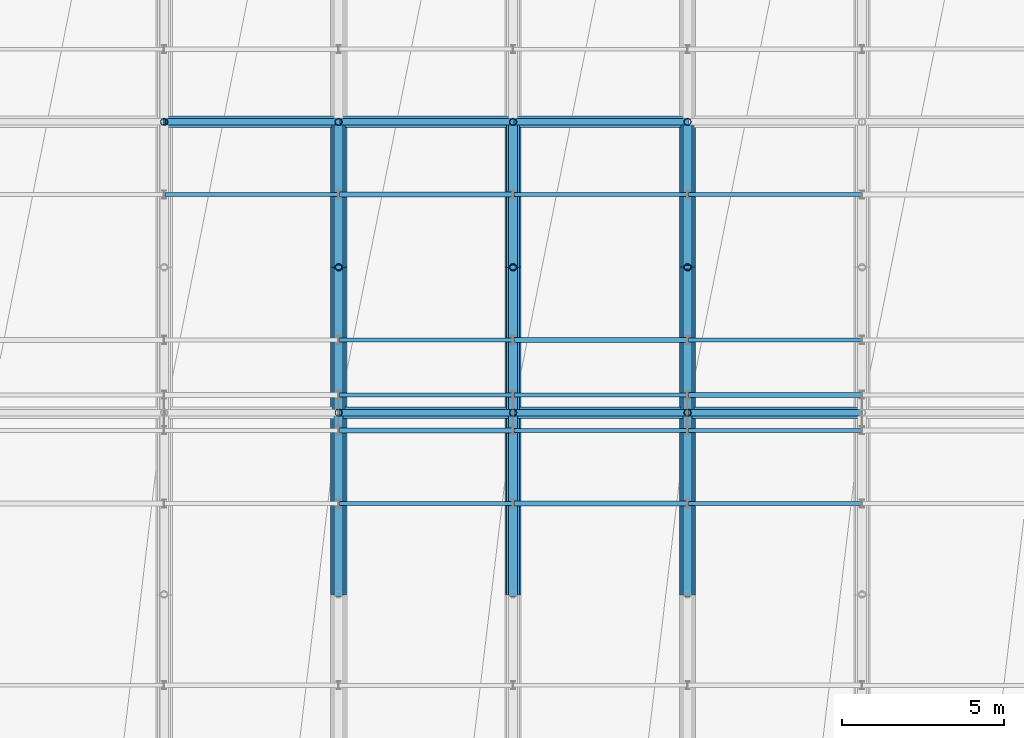
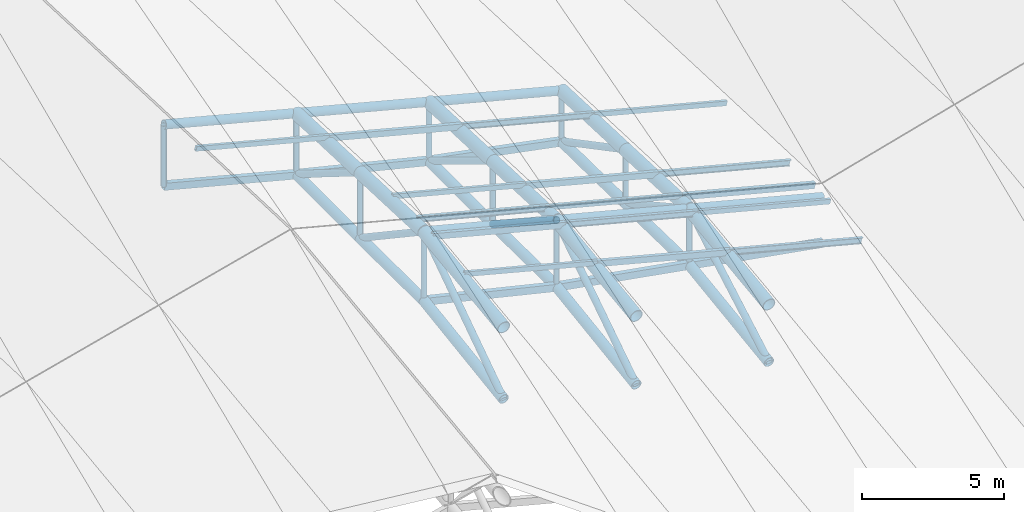
# One storey, part 24 of 109: 47 members, 18 beams.
"""IFC4 building model written with IfcOpenShell, lengths in metres."""

from ifc_helpers import new_model, si_unit, direction, frame, origin, origin_2d, place, context, subcontext, project, spatial, hollow_rectangle, hollow_circle, i_section, extrude, material, material_profile, profile_set, type_object, element, save


model = new_model("IFC4")

# Units and contexts
model_context = context("Model", 3, precision=1e-05, world=origin(), true_north=direction((0.0, 1.0)))
body_context = subcontext(model_context, "Body", "Model", "MODEL_VIEW")
ifc_project = project(units=[si_unit("LENGTHUNIT", "METRE"), si_unit("AREAUNIT", "SQUARE_METRE"), si_unit("VOLUMEUNIT", "CUBIC_METRE"), si_unit("PLANEANGLEUNIT", "RADIAN"), si_unit("MASSUNIT", "GRAM", prefix="KILO")], contexts=[model_context])

# Site, building, storey
site_placement = place(None, origin())
site = spatial("IfcSite", under=ifc_project, at=site_placement, CompositionType="ELEMENT")
building_placement = place(site_placement, origin())
building = spatial("IfcBuilding", under=site, at=building_placement, Name="Suirenkawa Promenade Aquatics Centre", CompositionType="ELEMENT")
storey_placement = place(building_placement, frame((0.0, 0.0, 22.800048828125)))
storey = spatial("IfcBuildingStorey", under=building, at=storey_placement, Name="ROOF", CompositionType="ELEMENT", Elevation=22.800048828125)

# Beams
ifc_material = material(Name="Steel IS 2062 E350 (Grade 350)", Category="steel")
ifc_material_profile_1 = material_profile(ifc_material, hollow_circle(Radius=0.202880859375, WallThickness=0.01806640625, at=origin_2d()), Name="CHS 406x18", Category="steel")
ifc_profile_set_1 = profile_set([ifc_material_profile_1], Name="Steel IS 2062 E350 (Grade 350)")
beam_type_1 = type_object("IfcBeamType", Name="BT-BC-CHS406", PredefinedType="BEAM", material=ifc_profile_set_1)
beam_1_placement = place(storey_placement, frame((117.0, 89.77490234375, -8.80712890625), z_axis=(0.0, 0.989286297541, 0.145988429325), x_axis=(-1.0, 0.0, 0.0)))
element("IfcBeam", 1, at=beam_1_placement, inside=storey, type_object=beam_type_1, Name="ROOF TRUSS V1 bottom chord BC-01 BM-2186", PredefinedType="BEAM", context=body_context, shape_type="SweptSolid", body=[
    extrude(hollow_circle(Radius=0.202880859375, WallThickness=0.01806640625, at=origin_2d()), origin(), (0.0, 0.0, 1.0), 5.68603515625),
])
for number, where, z_axis, x_axis, name in (
    (2, (117.0, 95.39990234375, -7.97705078125), (0.0, 0.999973178989, -0.007324022307), (-1.0, 0.0, 0.0), "ROOF TRUSS V1 bottom chord BC-01 BM-2188"),
    (3, (117.0, 99.89990234375, -8.010009765625), (0.0, 0.999992993217, 0.003743463354), (-1.0, 0.0, 0.0), "ROOF TRUSS V1 bottom chord BC-01 BM-2190"),
):
    element("IfcBeam", number, at=place(storey_placement, frame(where, z_axis=z_axis, x_axis=x_axis)), inside=storey, type_object=beam_type_1, Name=name, PredefinedType="BEAM", context=body_context, shape_type="SweptSolid", body=[
        extrude(hollow_circle(Radius=0.202880859375, WallThickness=0.01806640625, at=origin_2d()), origin(), (0.0, 0.0, 1.0), 4.5),
    ])
beam_2_placement = place(storey_placement, frame((122.39990234375, 89.77490234375, -10.083984375), z_axis=(0.0, 0.989465415769, 0.144769440823), x_axis=(-1.0, 0.0, 0.0)))
element("IfcBeam", 4, at=beam_2_placement, inside=storey, type_object=beam_type_1, Name="ROOF TRUSS V1 bottom chord BC-01 BM-2214", PredefinedType="BEAM", context=body_context, shape_type="SweptSolid", body=[
    extrude(hollow_circle(Radius=0.202880859375, WallThickness=0.01806640625, at=origin_2d()), origin(), (0.0, 0.0, 1.0), 5.684814453125),
])
beam_3_placement = place(storey_placement, frame((122.39990234375, 95.39990234375, -9.260986328125), z_axis=(0.0, 0.999949634201, -0.010036386845), x_axis=(-1.0, 0.0, 0.0)))
element("IfcBeam", 5, at=beam_3_placement, inside=storey, type_object=beam_type_1, Name="ROOF TRUSS V1 bottom chord BC-01 BM-2216", PredefinedType="BEAM", context=body_context, shape_type="SweptSolid", body=[
    extrude(hollow_circle(Radius=0.202880859375, WallThickness=0.01806640625, at=origin_2d()), origin(), (0.0, 0.0, 1.0), 4.500244140625),
])
beam_4_placement = place(storey_placement, frame((122.39990234375, 99.89990234375, -9.30615234375), z_axis=(0.0, 0.999999880791, 0.000488281192), x_axis=(-1.0, 0.0, 0.0)))
element("IfcBeam", 6, at=beam_4_placement, inside=storey, type_object=beam_type_1, Name="ROOF TRUSS V1 bottom chord BC-01 BM-2218", PredefinedType="BEAM", context=body_context, shape_type="SweptSolid", body=[
    extrude(hollow_circle(Radius=0.202880859375, WallThickness=0.01806640625, at=origin_2d()), origin(), (0.0, 0.0, 1.0), 4.5),
])
beam_5_placement = place(storey_placement, frame((127.800048828125, 89.77490234375, -10.9990234375), z_axis=(0.0, 0.990256578838, 0.139254831399), x_axis=(-1.0, 0.0, 0.0)))
element("IfcBeam", 7, at=beam_5_placement, inside=storey, type_object=beam_type_1, Name="ROOF TRUSS V1 bottom chord BC-01 BM-2242", PredefinedType="BEAM", context=body_context, shape_type="SweptSolid", body=[
    extrude(hollow_circle(Radius=0.202880859375, WallThickness=0.01806640625, at=origin_2d()), origin(), (0.0, 0.0, 1.0), 5.680419921875),
])
beam_6_placement = place(storey_placement, frame((127.800048828125, 95.39990234375, -10.2080078125), z_axis=(0.0, 0.999795303988, -0.020232402799), x_axis=(-1.0, 0.0, 0.0)))
element("IfcBeam", 8, at=beam_6_placement, inside=storey, type_object=beam_type_1, Name="ROOF TRUSS V1 bottom chord BC-01 BM-2244", PredefinedType="BEAM", context=body_context, shape_type="SweptSolid", body=[
    extrude(hollow_circle(Radius=0.202880859375, WallThickness=0.01806640625, at=origin_2d()), origin(), (0.0, 0.0, 1.0), 4.5009765625),
])
beam_7_placement = place(storey_placement, frame((127.800048828125, 99.89990234375, -10.299072265625), z_axis=(0.0, 0.999913821353, -0.013128208809), x_axis=(-1.0, 0.0, 0.0)))
element("IfcBeam", 9, at=beam_7_placement, inside=storey, type_object=beam_type_1, Name="ROOF TRUSS V1 bottom chord BC-01 BM-2246", PredefinedType="BEAM", context=body_context, shape_type="SweptSolid", body=[
    extrude(hollow_circle(Radius=0.202880859375, WallThickness=0.01806640625, at=origin_2d()), origin(), (0.0, 0.0, 1.0), 4.50048828125),
])
ifc_material_profile_2 = material_profile(ifc_material, hollow_circle(Radius=0.25390625, WallThickness=0.02392578125, at=origin_2d()), Name="CHS 508x24", Category="steel")
ifc_profile_set_2 = profile_set([ifc_material_profile_2], Name="Steel IS 2062 E350 (Grade 350)")
beam_type_2 = type_object("IfcBeamType", Name="BT-TC-CHS508", PredefinedType="BEAM", material=ifc_profile_set_2)
beam_8_placement = place(storey_placement, frame((117.0, 89.77490234375, -5.72509765625), z_axis=(0.0, 0.991793720609, 0.127848409297), x_axis=(-1.0, 0.0, 0.0)))
element("IfcBeam", 10, at=beam_8_placement, inside=storey, type_object=beam_type_2, Name="ROOF TRUSS V1 top chord TC-02 BM-2185", PredefinedType="BEAM", context=body_context, shape_type="SweptSolid", body=[
    extrude(hollow_circle(Radius=0.25390625, WallThickness=0.02392578125, at=origin_2d()), origin(), (0.0, 0.0, 1.0), 5.671630859375),
])
for number, where, z_axis, x_axis, name in (
    (11, (117.0, 95.39990234375, -5.0), (0.0, 0.999173184279, -0.040656460949), (-1.0, 0.0, 0.0), "ROOF TRUSS V1 top chord TC-02 BM-2187"),
    (12, (117.0, 99.89990234375, -5.18310546875), (0.0, 0.999166564808, -0.040818816368), (-1.0, 0.0, 0.0), "ROOF TRUSS V1 top chord TC-02 BM-2189"),
):
    element("IfcBeam", number, at=place(storey_placement, frame(where, z_axis=z_axis, x_axis=x_axis)), inside=storey, type_object=beam_type_2, Name=name, PredefinedType="BEAM", context=body_context, shape_type="SweptSolid", body=[
        extrude(hollow_circle(Radius=0.25390625, WallThickness=0.02392578125, at=origin_2d()), origin(), (0.0, 0.0, 1.0), 4.503662109375),
    ])
beam_9_placement = place(storey_placement, frame((122.39990234375, 89.77490234375, -7.125), z_axis=(0.0, 0.991799178012, 0.127806065951), x_axis=(-1.0, 0.0, 0.0)))
element("IfcBeam", 13, at=beam_9_placement, inside=storey, type_object=beam_type_2, Name="ROOF TRUSS V1 top chord TC-02 BM-2213", PredefinedType="BEAM", context=body_context, shape_type="SweptSolid", body=[
    extrude(hollow_circle(Radius=0.25390625, WallThickness=0.02392578125, at=origin_2d()), origin(), (0.0, 0.0, 1.0), 5.671630859375),
])
for number, where, z_axis, x_axis, name in (
    (14, (122.39990234375, 95.39990234375, -6.400146484375), (0.0, 0.999175384927, -0.040602341759), (-1.0, 0.0, 0.0), "ROOF TRUSS V1 top chord TC-02 BM-2215"),
    (15, (122.39990234375, 99.89990234375, -6.5830078125), (0.0, 0.999164352475, -0.040872934124), (-1.0, 0.0, 0.0), "ROOF TRUSS V1 top chord TC-02 BM-2217"),
):
    element("IfcBeam", number, at=place(storey_placement, frame(where, z_axis=z_axis, x_axis=x_axis)), inside=storey, type_object=beam_type_2, Name=name, PredefinedType="BEAM", context=body_context, shape_type="SweptSolid", body=[
        extrude(hollow_circle(Radius=0.25390625, WallThickness=0.02392578125, at=origin_2d()), origin(), (0.0, 0.0, 1.0), 4.503662109375),
    ])
beam_10_placement = place(storey_placement, frame((127.800048828125, 89.77490234375, -8.525146484375), z_axis=(0.0, 0.991793720609, 0.127848409297), x_axis=(-1.0, 0.0, 0.0)))
element("IfcBeam", 16, at=beam_10_placement, inside=storey, type_object=beam_type_2, Name="ROOF TRUSS V1 top chord TC-02 BM-2241", PredefinedType="BEAM", context=body_context, shape_type="SweptSolid", body=[
    extrude(hollow_circle(Radius=0.25390625, WallThickness=0.02392578125, at=origin_2d()), origin(), (0.0, 0.0, 1.0), 5.671630859375),
])
for number, where, z_axis, x_axis, name in (
    (17, (127.800048828125, 95.39990234375, -7.800048828125), (0.0, 0.999173184279, -0.040656460949), (-1.0, 0.0, 0.0), "ROOF TRUSS V1 top chord TC-02 BM-2243"),
    (18, (127.800048828125, 99.89990234375, -7.983154296875), (0.0, 0.999166564808, -0.040818816368), (-1.0, 0.0, 0.0), "ROOF TRUSS V1 top chord TC-02 BM-2245"),
):
    element("IfcBeam", number, at=place(storey_placement, frame(where, z_axis=z_axis, x_axis=x_axis)), inside=storey, type_object=beam_type_2, Name=name, PredefinedType="BEAM", context=body_context, shape_type="SweptSolid", body=[
        extrude(hollow_circle(Radius=0.25390625, WallThickness=0.02392578125, at=origin_2d()), origin(), (0.0, 0.0, 1.0), 4.503662109375),
    ])

# Members
ifc_material_profile_3 = material_profile(ifc_material, hollow_circle(Radius=0.177978515625, WallThickness=0.01611328125, at=origin_2d()), Name="CHS 356x16", Category="steel")
ifc_profile_set_3 = profile_set([ifc_material_profile_3], Name="Steel IS 2062 E350 (Grade 350)")
member_type_1 = type_object("IfcMemberType", Name="MT-CHORD-CHS356", PredefinedType="CHORD", material=ifc_profile_set_3)
member_1_placement = place(storey_placement, frame((117.0, 95.39990234375, -5.0), z_axis=(0.967989416096, 0.0, -0.250991016426), x_axis=(0.0, 1.0, 0.0)))
element("IfcMember", 19, at=member_1_placement, inside=storey, type_object=member_type_1, Name="ROOF TRUSS V1 tie chord CH-02 MB-0834", PredefinedType="CHORD", context=body_context, shape_type="SweptSolid", body=[
    extrude(hollow_circle(Radius=0.177978515625, WallThickness=0.01611328125, at=origin_2d()), origin(), (0.0, 0.0, 1.0), 5.578369140625),
])
member_2_placement = place(storey_placement, frame((122.39990234375, 95.39990234375, -6.400146484375), z_axis=(0.96800280427, 0.0, -0.250939376992), x_axis=(0.0, 1.0, 0.0)))
element("IfcMember", 20, at=member_2_placement, inside=storey, type_object=member_type_1, Name="ROOF TRUSS V1 tie chord CH-02 MB-0836", PredefinedType="CHORD", context=body_context, shape_type="SweptSolid", body=[
    extrude(hollow_circle(Radius=0.177978515625, WallThickness=0.01611328125, at=origin_2d()), origin(), (0.0, 0.0, 1.0), 5.57861328125),
])
for number, where, z_axis, x_axis, name in (
    (21, (127.800048828125, 95.39990234375, -7.800048828125), (0.968000048288, 0.0, -0.250950007997), (0.0, 1.0, 0.0), "ROOF TRUSS V1 tie chord CH-02 MB-0838"),
    (22, (111.60009765625, 104.39990234375, -3.967041015625), (0.968000048288, 0.0, -0.250950007997), (0.0, 1.0, 0.0), "ROOF TRUSS V1 tie chord CH-02 MB-0872"),
    (23, (117.0, 104.39990234375, -5.366943359375), (0.967989416096, 0.0, -0.250991016426), (0.0, 1.0, 0.0), "ROOF TRUSS V1 tie chord CH-02 MB-0874"),
):
    element("IfcMember", number, at=place(storey_placement, frame(where, z_axis=z_axis, x_axis=x_axis)), inside=storey, type_object=member_type_1, Name=name, PredefinedType="CHORD", context=body_context, shape_type="SweptSolid", body=[
        extrude(hollow_circle(Radius=0.177978515625, WallThickness=0.01611328125, at=origin_2d()), origin(), (0.0, 0.0, 1.0), 5.578369140625),
    ])
member_3_placement = place(storey_placement, frame((122.39990234375, 104.39990234375, -6.76708984375), z_axis=(0.96800280427, 0.0, -0.250939376992), x_axis=(0.0, 1.0, 0.0)))
element("IfcMember", 24, at=member_3_placement, inside=storey, type_object=member_type_1, Name="ROOF TRUSS V1 tie chord CH-02 MB-0876", PredefinedType="CHORD", context=body_context, shape_type="SweptSolid", body=[
    extrude(hollow_circle(Radius=0.177978515625, WallThickness=0.01611328125, at=origin_2d()), origin(), (0.0, 0.0, 1.0), 5.57861328125),
])
ifc_material_profile_4 = material_profile(ifc_material, hollow_rectangle(XDim=0.199951171875, YDim=0.300048828125, WallThickness=0.011962890625, at=origin_2d()), Name="RHS 300x200x12", Category="steel")
ifc_profile_set_4 = profile_set([ifc_material_profile_4], Name="Steel IS 2062 E350 (Grade 350)")
member_type_2 = type_object("IfcMemberType", Name="MT-CHORD-RHS300", PredefinedType="CHORD", material=ifc_profile_set_4)
member_4_placement = place(storey_placement, frame((117.0, 95.39990234375, -7.97705078125), z_axis=(0.972877433151, 0.0, -0.231321205396), x_axis=(0.0, 1.0, 0.0)))
element("IfcMember", 25, at=member_4_placement, inside=storey, type_object=member_type_2, Name="ROOF TRUSS V1 bottom tie CH-03 MB-0835", PredefinedType="CHORD", context=body_context, shape_type="SweptSolid", body=[
    extrude(hollow_rectangle(XDim=0.199951171875, YDim=0.300048828125, WallThickness=0.011962890625, at=origin_2d()), origin(), (0.0, 0.0, 1.0), 5.550537109375),
])
member_5_placement = place(storey_placement, frame((122.39990234375, 95.39990234375, -9.260986328125), z_axis=(0.984968590512, 0.0, -0.172733539608), x_axis=(0.0, 1.0, 0.0)))
element("IfcMember", 26, at=member_5_placement, inside=storey, type_object=member_type_2, Name="ROOF TRUSS V1 bottom tie CH-03 MB-0837", PredefinedType="CHORD", context=body_context, shape_type="SweptSolid", body=[
    extrude(hollow_rectangle(XDim=0.199951171875, YDim=0.300048828125, WallThickness=0.011962890625, at=origin_2d()), origin(), (0.0, 0.0, 1.0), 5.482666015625),
])
member_6_placement = place(storey_placement, frame((127.800048828125, 95.39990234375, -10.2080078125), z_axis=(0.984936939816, 0.0, -0.172913922475), x_axis=(0.0, 1.0, 0.0)))
element("IfcMember", 27, at=member_6_placement, inside=storey, type_object=member_type_2, Name="ROOF TRUSS V1 bottom tie CH-03 MB-0839", PredefinedType="CHORD", context=body_context, shape_type="SweptSolid", body=[
    extrude(hollow_rectangle(XDim=0.199951171875, YDim=0.300048828125, WallThickness=0.011962890625, at=origin_2d()), origin(), (0.0, 0.0, 1.0), 5.482421875),
])
member_7_placement = place(storey_placement, frame((111.60009765625, 104.39990234375, -6.593017578125), z_axis=(0.967989416096, 0.0, -0.250991016426), x_axis=(0.0, 1.0, 0.0)))
element("IfcMember", 28, at=member_7_placement, inside=storey, type_object=member_type_2, Name="ROOF TRUSS V1 bottom tie CH-03 MB-0873", PredefinedType="CHORD", context=body_context, shape_type="SweptSolid", body=[
    extrude(hollow_rectangle(XDim=0.199951171875, YDim=0.300048828125, WallThickness=0.011962890625, at=origin_2d()), origin(), (0.0, 0.0, 1.0), 5.578369140625),
])
member_8_placement = place(storey_placement, frame((117.0, 104.39990234375, -7.9931640625), z_axis=(0.971779032102, 0.0, -0.235893011274), x_axis=(0.0, 1.0, 0.0)))
element("IfcMember", 29, at=member_8_placement, inside=storey, type_object=member_type_2, Name="ROOF TRUSS V1 bottom tie CH-03 MB-0875", PredefinedType="CHORD", context=body_context, shape_type="SweptSolid", body=[
    extrude(hollow_rectangle(XDim=0.199951171875, YDim=0.300048828125, WallThickness=0.011962890625, at=origin_2d()), origin(), (0.0, 0.0, 1.0), 5.556640625),
])
member_9_placement = place(storey_placement, frame((122.39990234375, 104.39990234375, -9.303955078125), z_axis=(0.981473093254, 0.0, -0.191600018838), x_axis=(0.0, 1.0, 0.0)))
element("IfcMember", 30, at=member_9_placement, inside=storey, type_object=member_type_2, Name="ROOF TRUSS V1 bottom tie CH-03 MB-0877", PredefinedType="CHORD", context=body_context, shape_type="SweptSolid", body=[
    extrude(hollow_rectangle(XDim=0.199951171875, YDim=0.300048828125, WallThickness=0.011962890625, at=origin_2d()), origin(), (0.0, 0.0, 1.0), 5.502197265625),
])
ifc_material_profile_5 = material_profile(ifc_material, i_section(OverallWidth=0.125, OverallDepth=0.25, WebThickness=0.007080078125, FlangeThickness=0.012939453125, at=origin_2d()), Name="ISMB 250", Category="steel")
ifc_profile_set_5 = profile_set([ifc_material_profile_5], Name="Steel IS 2062 E350 (Grade 350)")
member_type_3 = type_object("IfcMemberType", Name="MT-PURLIN-ISMB250", PredefinedType="PURLIN", material=ifc_profile_set_5)
member_10_placement = place(storey_placement, frame((117.0, 95.949951171875, -4.7939453125), z_axis=(0.967989416096, 0.0, -0.250991016426), x_axis=(0.0, 1.0, 0.0)))
element("IfcMember", 31, at=member_10_placement, inside=storey, type_object=member_type_3, Name="ROOF TRUSS Roof purlin PU-04 MB-2175", PredefinedType="PURLIN", context=body_context, shape_type="SweptSolid", body=[
    extrude(i_section(OverallWidth=0.125, OverallDepth=0.25, WebThickness=0.007080078125, FlangeThickness=0.012939453125, at=origin_2d()), origin(), (0.0, 0.0, 1.0), 5.578369140625),
])
for number, where, z_axis, x_axis, name in (
    (32, (122.39990234375, 94.85009765625, -6.25), (0.967992172948, 0.0, -0.250980383917), (0.0, 1.0, 0.0), "ROOF TRUSS Roof purlin PU-04 MB-2209"),
    (33, (122.39990234375, 102.14990234375, -6.447021484375), (0.967992172948, 0.0, -0.250980383917), (0.0, 1.0, 0.0), "ROOF TRUSS Roof purlin PU-04 MB-2215"),
):
    element("IfcMember", number, at=place(storey_placement, frame(where, z_axis=z_axis, x_axis=x_axis)), inside=storey, type_object=member_type_3, Name=name, PredefinedType="PURLIN", context=body_context, shape_type="SweptSolid", body=[
        extrude(i_section(OverallWidth=0.125, OverallDepth=0.25, WebThickness=0.007080078125, FlangeThickness=0.012939453125, at=origin_2d()), origin(), (0.0, 0.0, 1.0), 5.57861328125),
    ])
member_11_placement = place(storey_placement, frame((127.800048828125, 92.587890625, -7.942138671875), z_axis=(0.968042562019, 0.0, -0.250785960773), x_axis=(0.0, 1.0, 0.0)))
element("IfcMember", 34, at=member_11_placement, inside=storey, type_object=member_type_3, Name="ROOF TRUSS Roof purlin PU-04 MB-2243", PredefinedType="PURLIN", context=body_context, shape_type="SweptSolid", body=[
    extrude(i_section(OverallWidth=0.125, OverallDepth=0.25, WebThickness=0.007080078125, FlangeThickness=0.012939453125, at=origin_2d()), origin(), (0.0, 0.0, 1.0), 5.578125),
])
member_12_placement = place(storey_placement, frame((127.800048828125, 97.64990234375, -7.6630859375), z_axis=(0.968000048288, 0.0, -0.250950007997), x_axis=(0.0, 1.0, 0.0)))
element("IfcMember", 35, at=member_12_placement, inside=storey, type_object=member_type_3, Name="ROOF TRUSS Roof purlin PU-04 MB-2249", PredefinedType="PURLIN", context=body_context, shape_type="SweptSolid", body=[
    extrude(i_section(OverallWidth=0.125, OverallDepth=0.25, WebThickness=0.007080078125, FlangeThickness=0.012939453125, at=origin_2d()), origin(), (0.0, 0.0, 1.0), 5.578369140625),
])
ifc_material_profile_6 = material_profile(ifc_material, hollow_rectangle(XDim=0.1201171875, YDim=0.199951171875, WallThickness=0.008056640625, at=origin_2d()), Name="RHS 200x120x8", Category="steel")
ifc_profile_set_6 = profile_set([ifc_material_profile_6], Name="Steel IS 2062 E350 (Grade 350)")
member_type_4 = type_object("IfcMemberType", Name="MT-PURLIN-RHS200", PredefinedType="PURLIN", material=ifc_profile_set_6)
for number, where, z_axis, x_axis, name in (
    (36, (111.60009765625, 102.14990234375, -3.6220703125), (0.968000048288, 0.0, -0.250950007997), (0.0, 1.0, 0.0), "ROOF TRUSS Roof purlin PU-02 MB-2143"),
    (37, (117.0, 92.587890625, -5.115966796875), (0.967989416096, 0.0, -0.250991016426), (0.0, 1.0, 0.0), "ROOF TRUSS Roof purlin PU-02 MB-2171"),
    (38, (117.0, 97.64990234375, -4.838134765625), (0.968000048288, 0.0, -0.250950007997), (0.0, 1.0, 0.0), "ROOF TRUSS Roof purlin PU-02 MB-2177"),
):
    element("IfcMember", number, at=place(storey_placement, frame(where, z_axis=z_axis, x_axis=x_axis)), inside=storey, type_object=member_type_4, Name=name, PredefinedType="PURLIN", context=body_context, shape_type="SweptSolid", body=[
        extrude(hollow_rectangle(XDim=0.1201171875, YDim=0.199951171875, WallThickness=0.008056640625, at=origin_2d()), origin(), (0.0, 0.0, 1.0), 5.578369140625),
    ])
member_13_placement = place(storey_placement, frame((122.39990234375, 95.949951171875, -6.1689453125), z_axis=(0.967992172948, 0.0, -0.250980383917), x_axis=(0.0, 1.0, 0.0)))
element("IfcMember", 39, at=member_13_placement, inside=storey, type_object=member_type_4, Name="ROOF TRUSS Roof purlin PU-02 MB-2211", PredefinedType="PURLIN", context=body_context, shape_type="SweptSolid", body=[
    extrude(hollow_rectangle(XDim=0.1201171875, YDim=0.199951171875, WallThickness=0.008056640625, at=origin_2d()), origin(), (0.0, 0.0, 1.0), 5.57861328125),
])
for number, where, z_axis, x_axis, name in (
    (40, (127.800048828125, 94.85009765625, -7.625), (0.967989416096, 0.0, -0.250991016426), (0.0, 1.0, 0.0), "ROOF TRUSS Roof purlin PU-02 MB-2245"),
    (41, (127.800048828125, 102.14990234375, -7.822021484375), (0.967989416096, 0.0, -0.250991016426), (0.0, 1.0, 0.0), "ROOF TRUSS Roof purlin PU-02 MB-2251"),
):
    element("IfcMember", number, at=place(storey_placement, frame(where, z_axis=z_axis, x_axis=x_axis)), inside=storey, type_object=member_type_4, Name=name, PredefinedType="PURLIN", context=body_context, shape_type="SweptSolid", body=[
        extrude(hollow_rectangle(XDim=0.1201171875, YDim=0.199951171875, WallThickness=0.008056640625, at=origin_2d()), origin(), (0.0, 0.0, 1.0), 5.578369140625),
    ])
ifc_material_profile_7 = material_profile(ifc_material, hollow_rectangle(XDim=0.14990234375, YDim=0.25, WallThickness=0.010009765625, at=origin_2d()), Name="RHS 250x150x10", Category="steel")
ifc_profile_set_7 = profile_set([ifc_material_profile_7], Name="Steel IS 2062 E350 (Grade 350)")
member_type_5 = type_object("IfcMemberType", Name="MT-PURLIN-RHS250", PredefinedType="PURLIN", material=ifc_profile_set_7)
member_14_placement = place(storey_placement, frame((117.0, 94.85009765625, -4.85205078125), z_axis=(0.968042562019, 0.0, -0.250785960773), x_axis=(0.0, 1.0, 0.0)))
element("IfcMember", 42, at=member_14_placement, inside=storey, type_object=member_type_5, Name="ROOF TRUSS Roof purlin PU-03 MB-2173", PredefinedType="PURLIN", context=body_context, shape_type="SweptSolid", body=[
    extrude(hollow_rectangle(XDim=0.14990234375, YDim=0.25, WallThickness=0.010009765625, at=origin_2d()), origin(), (0.0, 0.0, 1.0), 5.578125),
])
member_15_placement = place(storey_placement, frame((117.0, 102.14990234375, -5.047119140625), z_axis=(0.968000048288, 0.0, -0.250950007997), x_axis=(0.0, 1.0, 0.0)))
element("IfcMember", 43, at=member_15_placement, inside=storey, type_object=member_type_5, Name="ROOF TRUSS Roof purlin PU-03 MB-2179", PredefinedType="PURLIN", context=body_context, shape_type="SweptSolid", body=[
    extrude(hollow_rectangle(XDim=0.14990234375, YDim=0.25, WallThickness=0.010009765625, at=origin_2d()), origin(), (0.0, 0.0, 1.0), 5.578369140625),
])
for number, where, z_axis, x_axis, name in (
    (44, (122.39990234375, 92.587890625, -6.54296875), (0.967992172948, 0.0, -0.250980383917), (0.0, 1.0, 0.0), "ROOF TRUSS Roof purlin PU-03 MB-2207"),
    (45, (122.39990234375, 97.64990234375, -6.26416015625), (0.96800280427, 0.0, -0.250939376992), (0.0, 1.0, 0.0), "ROOF TRUSS Roof purlin PU-03 MB-2213"),
):
    element("IfcMember", number, at=place(storey_placement, frame(where, z_axis=z_axis, x_axis=x_axis)), inside=storey, type_object=member_type_5, Name=name, PredefinedType="PURLIN", context=body_context, shape_type="SweptSolid", body=[
        extrude(hollow_rectangle(XDim=0.14990234375, YDim=0.25, WallThickness=0.010009765625, at=origin_2d()), origin(), (0.0, 0.0, 1.0), 5.57861328125),
    ])
member_16_placement = place(storey_placement, frame((127.800048828125, 95.949951171875, -7.594970703125), z_axis=(0.967989416096, 0.0, -0.250991016426), x_axis=(0.0, 1.0, 0.0)))
element("IfcMember", 46, at=member_16_placement, inside=storey, type_object=member_type_5, Name="ROOF TRUSS Roof purlin PU-03 MB-2247", PredefinedType="PURLIN", context=body_context, shape_type="SweptSolid", body=[
    extrude(hollow_rectangle(XDim=0.14990234375, YDim=0.25, WallThickness=0.010009765625, at=origin_2d()), origin(), (0.0, 0.0, 1.0), 5.578369140625),
])
ifc_material_profile_8 = material_profile(ifc_material, hollow_circle(Radius=0.110107421875, WallThickness=0.010009765625, at=origin_2d()), Name="CHS 220x10", Category="steel")
ifc_profile_set_8 = profile_set([ifc_material_profile_8], Name="Steel IS 2062 E350 (Grade 350)")
member_type_6 = type_object("IfcMemberType", Name="MT-WEB-CHS220", PredefinedType="BRACE", material=ifc_profile_set_8)
member_17_placement = place(storey_placement, frame((111.60009765625, 104.39990234375, -6.593017578125), z_axis=(0.0, 0.0, 1.0), x_axis=(1.0, 0.0, 0.0)))
element("IfcMember", 47, at=member_17_placement, inside=storey, type_object=member_type_6, Name="ROOF TRUSS V1 web post TD-01 MB-0348", PredefinedType="BRACE", context=body_context, shape_type="SweptSolid", body=[
    extrude(hollow_circle(Radius=0.110107421875, WallThickness=0.010009765625, at=origin_2d()), origin(), (0.0, 0.0, 1.0), 2.6259765625),
])
member_18_placement = place(storey_placement, frame((117.0, 95.39990234375, -7.97705078125), z_axis=(0.0, 0.0, 1.0), x_axis=(1.0, 0.0, 0.0)))
element("IfcMember", 48, at=member_18_placement, inside=storey, type_object=member_type_6, Name="ROOF TRUSS V1 web post TD-01 MB-0373", PredefinedType="BRACE", context=body_context, shape_type="SweptSolid", body=[
    extrude(hollow_circle(Radius=0.110107421875, WallThickness=0.010009765625, at=origin_2d()), origin(), (0.0, 0.0, 1.0), 2.97705078125),
])
member_19_placement = place(storey_placement, frame((117.0, 99.89990234375, -8.010009765625), z_axis=(0.0, 0.0, 1.0), x_axis=(1.0, 0.0, 0.0)))
element("IfcMember", 49, at=member_19_placement, inside=storey, type_object=member_type_6, Name="ROOF TRUSS V1 web post TD-01 MB-0374", PredefinedType="BRACE", context=body_context, shape_type="SweptSolid", body=[
    extrude(hollow_circle(Radius=0.110107421875, WallThickness=0.010009765625, at=origin_2d()), origin(), (0.0, 0.0, 1.0), 2.826904296875),
])
member_20_placement = place(storey_placement, frame((117.0, 104.39990234375, -7.9931640625), z_axis=(0.0, 0.0, 1.0), x_axis=(1.0, 0.0, 0.0)))
element("IfcMember", 50, at=member_20_placement, inside=storey, type_object=member_type_6, Name="ROOF TRUSS V1 web post TD-01 MB-0375", PredefinedType="BRACE", context=body_context, shape_type="SweptSolid", body=[
    extrude(hollow_circle(Radius=0.110107421875, WallThickness=0.010009765625, at=origin_2d()), origin(), (0.0, 0.0, 1.0), 2.626220703125),
])
member_21_placement = place(storey_placement, frame((122.39990234375, 95.39990234375, -9.260986328125), z_axis=(0.0, 0.0, 1.0), x_axis=(1.0, 0.0, 0.0)))
element("IfcMember", 51, at=member_21_placement, inside=storey, type_object=member_type_6, Name="ROOF TRUSS V1 web post TD-01 MB-0400", PredefinedType="BRACE", context=body_context, shape_type="SweptSolid", body=[
    extrude(hollow_circle(Radius=0.110107421875, WallThickness=0.010009765625, at=origin_2d()), origin(), (0.0, 0.0, 1.0), 2.86083984375),
])
member_22_placement = place(storey_placement, frame((122.39990234375, 99.89990234375, -9.30615234375), z_axis=(0.0, 0.0, 1.0), x_axis=(1.0, 0.0, 0.0)))
element("IfcMember", 52, at=member_22_placement, inside=storey, type_object=member_type_6, Name="ROOF TRUSS V1 web post TD-01 MB-0401", PredefinedType="BRACE", context=body_context, shape_type="SweptSolid", body=[
    extrude(hollow_circle(Radius=0.110107421875, WallThickness=0.010009765625, at=origin_2d()), origin(), (0.0, 0.0, 1.0), 2.72314453125),
])
member_23_placement = place(storey_placement, frame((122.39990234375, 104.39990234375, -9.303955078125), z_axis=(0.0, 0.0, 1.0), x_axis=(1.0, 0.0, 0.0)))
element("IfcMember", 53, at=member_23_placement, inside=storey, type_object=member_type_6, Name="ROOF TRUSS V1 web post TD-01 MB-0402", PredefinedType="BRACE", context=body_context, shape_type="SweptSolid", body=[
    extrude(hollow_circle(Radius=0.110107421875, WallThickness=0.010009765625, at=origin_2d()), origin(), (0.0, 0.0, 1.0), 2.536865234375),
])
member_24_placement = place(storey_placement, frame((127.800048828125, 95.39990234375, -10.2080078125), z_axis=(0.0, 0.0, 1.0), x_axis=(1.0, 0.0, 0.0)))
element("IfcMember", 54, at=member_24_placement, inside=storey, type_object=member_type_6, Name="ROOF TRUSS V1 web post TD-01 MB-0427", PredefinedType="BRACE", context=body_context, shape_type="SweptSolid", body=[
    extrude(hollow_circle(Radius=0.110107421875, WallThickness=0.010009765625, at=origin_2d()), origin(), (0.0, 0.0, 1.0), 2.407958984375),
])
member_25_placement = place(storey_placement, frame((127.800048828125, 99.89990234375, -10.299072265625), z_axis=(0.0, 0.0, 1.0), x_axis=(1.0, 0.0, 0.0)))
element("IfcMember", 55, at=member_25_placement, inside=storey, type_object=member_type_6, Name="ROOF TRUSS V1 web post TD-01 MB-0428", PredefinedType="BRACE", context=body_context, shape_type="SweptSolid", body=[
    extrude(hollow_circle(Radius=0.110107421875, WallThickness=0.010009765625, at=origin_2d()), origin(), (0.0, 0.0, 1.0), 2.31591796875),
])
member_26_placement = place(storey_placement, frame((127.800048828125, 104.39990234375, -10.358154296875), z_axis=(0.0, 0.0, 1.0), x_axis=(1.0, 0.0, 0.0)))
element("IfcMember", 56, at=member_26_placement, inside=storey, type_object=member_type_6, Name="ROOF TRUSS V1 web post TD-01 MB-0429", PredefinedType="BRACE", context=body_context, shape_type="SweptSolid", body=[
    extrude(hollow_circle(Radius=0.110107421875, WallThickness=0.010009765625, at=origin_2d()), origin(), (0.0, 0.0, 1.0), 2.191162109375),
])
ifc_material_profile_9 = material_profile(ifc_material, hollow_circle(Radius=0.136962890625, WallThickness=0.011962890625, at=origin_2d()), Name="CHS 274x12", Category="steel")
ifc_profile_set_9 = profile_set([ifc_material_profile_9], Name="Steel IS 2062 E350 (Grade 350)")
member_type_7 = type_object("IfcMemberType", Name="MT-WEB-CHS274", PredefinedType="BRACE", material=ifc_profile_set_9)
member_27_placement = place(storey_placement, frame((117.0, 89.77490234375, -8.80712890625), z_axis=(0.0, 0.828147975277, 0.560509528059), x_axis=(-1.0, 0.0, 0.0)))
element("IfcMember", 57, at=member_27_placement, inside=storey, type_object=member_type_7, Name="ROOF TRUSS V1 web diagonal TD-02 MB-0359", PredefinedType="BRACE", context=body_context, shape_type="SweptSolid", body=[
    extrude(hollow_circle(Radius=0.136962890625, WallThickness=0.011962890625, at=origin_2d()), origin(), (0.0, 0.0, 1.0), 6.792236328125),
])
member_28_placement = place(storey_placement, frame((117.0, 95.39990234375, -5.0), z_axis=(0.0, 0.83119596855, -0.555979551663), x_axis=(-1.0, 0.0, 0.0)))
element("IfcMember", 58, at=member_28_placement, inside=storey, type_object=member_type_7, Name="ROOF TRUSS V1 web diagonal TD-02 MB-0360", PredefinedType="BRACE", context=body_context, shape_type="SweptSolid", body=[
    extrude(hollow_circle(Radius=0.136962890625, WallThickness=0.011962890625, at=origin_2d()), origin(), (0.0, 0.0, 1.0), 5.413818359375),
])
member_29_placement = place(storey_placement, frame((117.0, 99.89990234375, -5.18310546875), z_axis=(0.0, 0.848205062223, -0.529667983192), x_axis=(-1.0, 0.0, 0.0)))
element("IfcMember", 59, at=member_29_placement, inside=storey, type_object=member_type_7, Name="ROOF TRUSS V1 web diagonal TD-02 MB-0361", PredefinedType="BRACE", context=body_context, shape_type="SweptSolid", body=[
    extrude(hollow_circle(Radius=0.136962890625, WallThickness=0.011962890625, at=origin_2d()), origin(), (0.0, 0.0, 1.0), 5.305419921875),
])
member_30_placement = place(storey_placement, frame((122.39990234375, 89.77490234375, -10.083984375), z_axis=(0.0, 0.836563849967, 0.547869441499), x_axis=(-1.0, 0.0, 0.0)))
element("IfcMember", 60, at=member_30_placement, inside=storey, type_object=member_type_7, Name="ROOF TRUSS V1 web diagonal TD-02 MB-0386", PredefinedType="BRACE", context=body_context, shape_type="SweptSolid", body=[
    extrude(hollow_circle(Radius=0.136962890625, WallThickness=0.011962890625, at=origin_2d()), origin(), (0.0, 0.0, 1.0), 6.723876953125),
])
member_31_placement = place(storey_placement, frame((122.39990234375, 95.39990234375, -6.400146484375), z_axis=(0.0, 0.840060148166, -0.54249326951), x_axis=(-1.0, 0.0, 0.0)))
element("IfcMember", 61, at=member_31_placement, inside=storey, type_object=member_type_7, Name="ROOF TRUSS V1 web diagonal TD-02 MB-0387", PredefinedType="BRACE", context=body_context, shape_type="SweptSolid", body=[
    extrude(hollow_circle(Radius=0.136962890625, WallThickness=0.011962890625, at=origin_2d()), origin(), (0.0, 0.0, 1.0), 5.356689453125),
])
member_32_placement = place(storey_placement, frame((122.39990234375, 99.89990234375, -6.5830078125), z_axis=(0.0, 0.855730549417, -0.517421710788), x_axis=(-1.0, 0.0, 0.0)))
element("IfcMember", 62, at=member_32_placement, inside=storey, type_object=member_type_7, Name="ROOF TRUSS V1 web diagonal TD-02 MB-0388", PredefinedType="BRACE", context=body_context, shape_type="SweptSolid", body=[
    extrude(hollow_circle(Radius=0.136962890625, WallThickness=0.011962890625, at=origin_2d()), origin(), (0.0, 0.0, 1.0), 5.258544921875),
])
member_33_placement = place(storey_placement, frame((127.800048828125, 89.77490234375, -10.9990234375), z_axis=(0.0, 0.869260555117, 0.4943542124), x_axis=(-1.0, 0.0, 0.0)))
element("IfcMember", 63, at=member_33_placement, inside=storey, type_object=member_type_7, Name="ROOF TRUSS V1 web diagonal TD-02 MB-0413", PredefinedType="BRACE", context=body_context, shape_type="SweptSolid", body=[
    extrude(hollow_circle(Radius=0.136962890625, WallThickness=0.011962890625, at=origin_2d()), origin(), (0.0, 0.0, 1.0), 6.470947265625),
])
member_34_placement = place(storey_placement, frame((127.800048828125, 95.39990234375, -7.800048828125), z_axis=(0.0, 0.87423780635, -0.485497948448), x_axis=(-1.0, 0.0, 0.0)))
element("IfcMember", 64, at=member_34_placement, inside=storey, type_object=member_type_7, Name="ROOF TRUSS V1 web diagonal TD-02 MB-0414", PredefinedType="BRACE", context=body_context, shape_type="SweptSolid", body=[
    extrude(hollow_circle(Radius=0.136962890625, WallThickness=0.011962890625, at=origin_2d()), origin(), (0.0, 0.0, 1.0), 5.1474609375),
])
member_35_placement = place(storey_placement, frame((127.800048828125, 99.89990234375, -7.983154296875), z_axis=(0.0, 0.884384752847, -0.466758619558), x_axis=(-1.0, 0.0, 0.0)))
element("IfcMember", 65, at=member_35_placement, inside=storey, type_object=member_type_7, Name="ROOF TRUSS V1 web diagonal TD-02 MB-0415", PredefinedType="BRACE", context=body_context, shape_type="SweptSolid", body=[
    extrude(hollow_circle(Radius=0.136962890625, WallThickness=0.011962890625, at=origin_2d()), origin(), (0.0, 0.0, 1.0), 5.08837890625),
])

save(model, "model.ifc")
